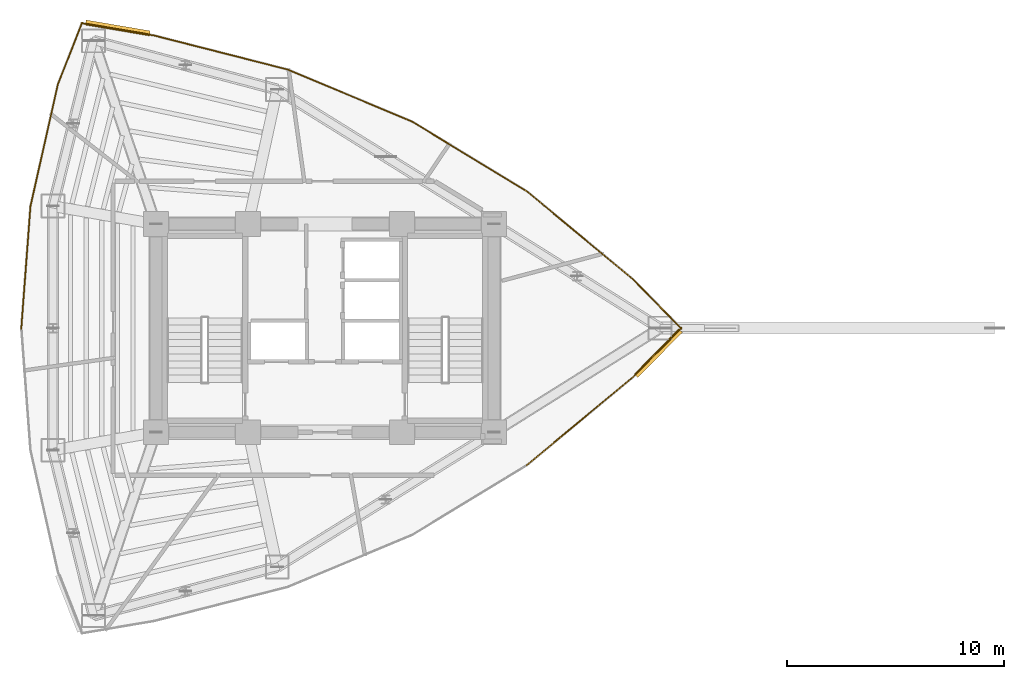
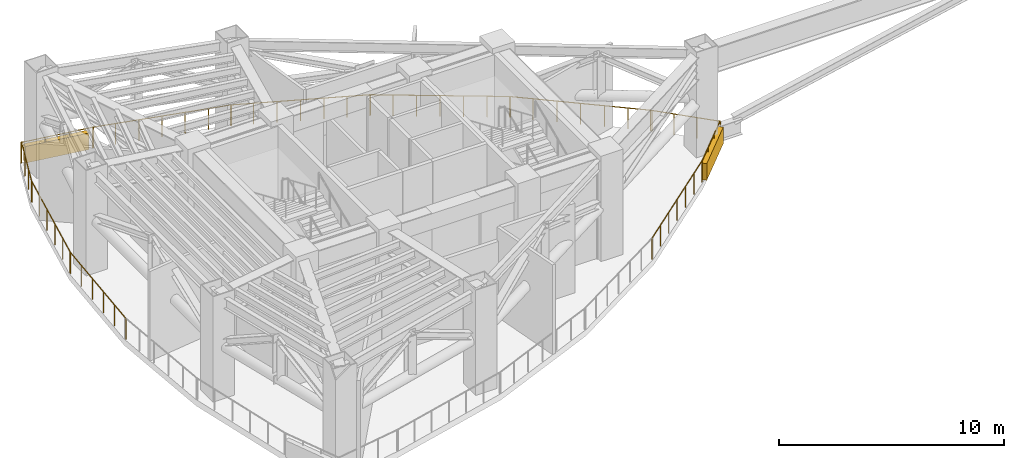
# One storey, part 8 of 8: 11 railings, 2 shading devices.
"""IFC4 building model written with IfcOpenShell, lengths in metres."""

from ifc_helpers import new_model, si_unit, direction, frame, origin, origin_2d, place, context, subcontext, project, spatial, rectangle, circle, extrude, material, layer, layer_set, type_object, element, save


model = new_model("IFC4")

# Units and contexts
model_context = context("Model", 3, precision=1e-05, world=origin(), true_north=direction((0.0, 1.0)))
body_context = subcontext(model_context, "Body", "Model", "MODEL_VIEW")
ifc_project = project(units=[si_unit("LENGTHUNIT", "METRE"), si_unit("AREAUNIT", "SQUARE_METRE"), si_unit("VOLUMEUNIT", "CUBIC_METRE"), si_unit("PLANEANGLEUNIT", "RADIAN"), si_unit("MASSUNIT", "GRAM", prefix="KILO")], contexts=[model_context])

# Site, building, storey
site_placement = place(None, origin())
site = spatial("IfcSite", under=ifc_project, at=site_placement, CompositionType="ELEMENT")
building_placement = place(site_placement, origin())
building = spatial("IfcBuilding", under=site, at=building_placement, Name="Menara Vayukalpa", CompositionType="ELEMENT")
storey_placement = place(building_placement, frame((0.0, 0.0, 148.6201171875)))
storey = spatial("IfcBuildingStorey", under=building, at=storey_placement, Name="L37", CompositionType="ELEMENT", Elevation=148.6201171875)

# Railings
ifc_material_1 = material(Name="Laminated Glass and Stainless Steel 316 Guardrail", Category="steel")
railing_type = type_object("IfcRailingType", Name="RLG-EXT115", PredefinedType="GUARDRAIL", material=ifc_material_1)
railing_1_placement = place(storey_placement, frame((39.8330078125, 19.76318359375, 0.0)))
element("IfcRailing", 1, at=railing_1_placement, inside=storey, type_object=railing_type, Name="L37 Wind Floor Perimeter Guardrail 01", PredefinedType="GUARDRAIL", context=body_context, shape_type="SweptSolid", body=[
    extrude(circle(Radius=0.02392578125, at=origin_2d()), frame((0.0, 0.0, 1.1259765625), z_axis=(-0.769738797529, -0.638358977049, 0.0), x_axis=(0.638358977049, -0.769738797529, 0.0)), (0.0, 0.0, 1.0), 6.412841796875),
    extrude(circle(Radius=0.02099609375, at=origin_2d()), origin(), (0.0, 0.0, 1.0), 1.101806640625),
    extrude(circle(Radius=0.02099609375, at=origin_2d()), frame((-0.82275390625, -0.682373046875, 0.0)), (0.0, 0.0, 1.0), 1.101806640625),
    extrude(circle(Radius=0.02099609375, at=origin_2d()), frame((-1.6455078125, -1.364501953125, 0.0)), (0.0, 0.0, 1.0), 1.101806640625),
    extrude(circle(Radius=0.02099609375, at=origin_2d()), frame((-2.46826171875, -2.046875, 0.0)), (0.0, 0.0, 1.0), 1.101806640625),
    extrude(circle(Radius=0.02099609375, at=origin_2d()), frame((-3.290771484375, -2.729248046875, 0.0)), (0.0, 0.0, 1.0), 1.101806640625),
    extrude(circle(Radius=0.02099609375, at=origin_2d()), frame((-4.113525390625, -3.411376953125, 0.0)), (0.0, 0.0, 1.0), 1.101806640625),
    extrude(circle(Radius=0.02099609375, at=origin_2d()), frame((-4.936279296875, -4.09375, 0.0)), (0.0, 0.0, 1.0), 1.101806640625),
])
railing_2_placement = place(storey_placement, frame((11.584716796875, 21.97021484375, 0.0)))
element("IfcRailing", 2, at=railing_2_placement, inside=storey, type_object=railing_type, Name="L37 Wind Floor Perimeter Guardrail 09", PredefinedType="GUARDRAIL", context=body_context, shape_type="SweptSolid", body=[
    extrude(circle(Radius=0.02392578125, at=origin_2d()), frame((0.0, 0.0, 1.1259765625), z_axis=(0.074760126221, 0.997201546092, 0.0), x_axis=(-0.997201546092, 0.074760126221, 0.0)), (0.0, 0.0, 1.0), 5.698486328125),
    extrude(circle(Radius=0.02099609375, at=origin_2d()), origin(), (0.0, 0.0, 1.0), 1.101806640625),
    extrude(circle(Radius=0.02099609375, at=origin_2d()), frame((0.085205078125, 1.136474609375, 0.0)), (0.0, 0.0, 1.0), 1.101806640625),
    extrude(circle(Radius=0.02099609375, at=origin_2d()), frame((0.17041015625, 2.27294921875, 0.0)), (0.0, 0.0, 1.0), 1.101806640625),
    extrude(circle(Radius=0.02099609375, at=origin_2d()), frame((0.255615234375, 3.40966796875, 0.0)), (0.0, 0.0, 1.0), 1.101806640625),
    extrude(circle(Radius=0.02099609375, at=origin_2d()), frame((0.3408203125, 4.546142578125, 0.0)), (0.0, 0.0, 1.0), 1.101806640625),
    extrude(circle(Radius=0.02099609375, at=origin_2d()), frame((0.426025390625, 5.6826171875, 0.0)), (0.0, 0.0, 1.0), 1.101806640625),
])
railing_3_placement = place(storey_placement, frame((12.001953125, 27.59375, 0.0)))
element("IfcRailing", 3, at=railing_3_placement, inside=storey, type_object=railing_type, Name="L37 Wind Floor Perimeter Guardrail 10", PredefinedType="GUARDRAIL", context=body_context, shape_type="SweptSolid", body=[
    extrude(circle(Radius=0.02392578125, at=origin_2d()), frame((0.0, 0.0, 1.1259765625), z_axis=(0.219504214699, 0.975611551658, 0.0), x_axis=(-0.975611551658, 0.219504214699, 0.0)), (0.0, 0.0, 1.0), 5.82373046875),
    extrude(circle(Radius=0.02099609375, at=origin_2d()), origin(), (0.0, 0.0, 1.0), 1.101806640625),
    extrude(circle(Radius=0.02099609375, at=origin_2d()), frame((0.255615234375, 1.13623046875, 0.0)), (0.0, 0.0, 1.0), 1.101806640625),
    extrude(circle(Radius=0.02099609375, at=origin_2d()), frame((0.51123046875, 2.272705078125, 0.0)), (0.0, 0.0, 1.0), 1.101806640625),
    extrude(circle(Radius=0.02099609375, at=origin_2d()), frame((0.76708984375, 3.408935546875, 0.0)), (0.0, 0.0, 1.0), 1.101806640625),
    extrude(circle(Radius=0.02099609375, at=origin_2d()), frame((1.022705078125, 4.54541015625, 0.0)), (0.0, 0.0, 1.0), 1.101806640625),
    extrude(circle(Radius=0.02099609375, at=origin_2d()), frame((1.2783203125, 5.681640625, 0.0)), (0.0, 0.0, 1.0), 1.101806640625),
])
railing_4_placement = place(storey_placement, frame((13.2626953125, 33.218017578125, 0.0)))
element("IfcRailing", 4, at=railing_4_placement, inside=storey, type_object=railing_type, Name="L37 Wind Floor Perimeter Guardrail 11", PredefinedType="GUARDRAIL", context=body_context, shape_type="SweptSolid", body=[
    extrude(circle(Radius=0.02392578125, at=origin_2d()), frame((0.0, 0.0, 1.1259765625), z_axis=(0.365591375551, 0.93077545419, 0.0), x_axis=(-0.93077545419, 0.365591375551, 0.0)), (0.0, 0.0, 1.0), 3.095947265625),
    extrude(circle(Radius=0.02099609375, at=origin_2d()), origin(), (0.0, 0.0, 1.0), 1.101806640625),
    extrude(circle(Radius=0.02099609375, at=origin_2d()), frame((0.377197265625, 0.96044921875, 0.0)), (0.0, 0.0, 1.0), 1.101806640625),
    extrude(circle(Radius=0.02099609375, at=origin_2d()), frame((0.754638671875, 1.921142578125, 0.0)), (0.0, 0.0, 1.0), 1.101806640625),
    extrude(circle(Radius=0.02099609375, at=origin_2d()), frame((1.1318359375, 2.881591796875, 0.0)), (0.0, 0.0, 1.0), 1.101806640625),
])
railing_5_placement = place(storey_placement, frame((14.35400390625, 36.076904296875, 0.0)))
element("IfcRailing", 5, at=railing_5_placement, inside=storey, type_object=railing_type, Name="L37 Wind Floor Perimeter Guardrail 12", PredefinedType="GUARDRAIL", context=body_context, shape_type="SweptSolid", body=[
    extrude(circle(Radius=0.02392578125, at=origin_2d()), frame((0.0, 0.0, 1.1259765625), z_axis=(0.985889433677, -0.167397803346, 0.0), x_axis=(0.167397803346, 0.985889433677, 0.0)), (0.0, 0.0, 1.0), 3.44482421875),
    extrude(circle(Radius=0.02099609375, at=origin_2d()), origin(), (0.0, 0.0, 1.0), 1.101806640625),
    extrude(circle(Radius=0.02099609375, at=origin_2d()), frame((1.132080078125, -0.192138671875, 0.0)), (0.0, 0.0, 1.0), 1.101806640625),
    extrude(circle(Radius=0.02099609375, at=origin_2d()), frame((2.26416015625, -0.384521484375, 0.0)), (0.0, 0.0, 1.0), 1.101806640625),
    extrude(circle(Radius=0.02099609375, at=origin_2d()), frame((3.396240234375, -0.57666015625, 0.0)), (0.0, 0.0, 1.0), 1.101806640625),
])
railing_6_placement = place(storey_placement, frame((17.691650390625, 35.5126953125, 0.0)))
element("IfcRailing", 6, at=railing_6_placement, inside=storey, type_object=railing_type, Name="L37 Wind Floor Perimeter Guardrail 13", PredefinedType="GUARDRAIL", context=body_context, shape_type="SweptSolid", body=[
    extrude(circle(Radius=0.02392578125, at=origin_2d()), frame((0.0, 0.0, 1.1259765625), z_axis=(0.968980581145, -0.247136871721, 0.0), x_axis=(0.247136871721, 0.968980581145, 0.0)), (0.0, 0.0, 1.0), 6.413330078125),
    extrude(circle(Radius=0.02099609375, at=origin_2d()), origin(), (0.0, 0.0, 1.0), 1.101806640625),
    extrude(circle(Radius=0.02099609375, at=origin_2d()), frame((1.03564453125, -0.26416015625, 0.0)), (0.0, 0.0, 1.0), 1.101806640625),
    extrude(circle(Radius=0.02099609375, at=origin_2d()), frame((2.071533203125, -0.5283203125, 0.0)), (0.0, 0.0, 1.0), 1.101806640625),
    extrude(circle(Radius=0.02099609375, at=origin_2d()), frame((3.107177734375, -0.79248046875, 0.0)), (0.0, 0.0, 1.0), 1.101806640625),
    extrude(circle(Radius=0.02099609375, at=origin_2d()), frame((4.142822265625, -1.056640625, 0.0)), (0.0, 0.0, 1.0), 1.101806640625),
    extrude(circle(Radius=0.02099609375, at=origin_2d()), frame((5.1787109375, -1.32080078125, 0.0)), (0.0, 0.0, 1.0), 1.101806640625),
    extrude(circle(Radius=0.02099609375, at=origin_2d()), frame((6.21435546875, -1.5849609375, 0.0)), (0.0, 0.0, 1.0), 1.101806640625),
])
railing_7_placement = place(storey_placement, frame((23.849365234375, 33.94677734375, 0.0)))
element("IfcRailing", 7, at=railing_7_placement, inside=storey, type_object=railing_type, Name="L37 Wind Floor Perimeter Guardrail 14", PredefinedType="GUARDRAIL", context=body_context, shape_type="SweptSolid", body=[
    extrude(circle(Radius=0.02392578125, at=origin_2d()), frame((0.0, 0.0, 1.1259765625), z_axis=(0.922549905473, -0.385877794013, 0.0), x_axis=(0.385877794013, 0.922549905473, 0.0)), (0.0, 0.0, 1.0), 6.273681640625),
    extrude(circle(Radius=0.02099609375, at=origin_2d()), origin(), (0.0, 0.0, 1.0), 1.101806640625),
    extrude(circle(Radius=0.02099609375, at=origin_2d()), frame((0.964599609375, -0.403564453125, 0.0)), (0.0, 0.0, 1.0), 1.101806640625),
    extrude(circle(Radius=0.02099609375, at=origin_2d()), frame((1.92919921875, -0.806884765625, 0.0)), (0.0, 0.0, 1.0), 1.101806640625),
    extrude(circle(Radius=0.02099609375, at=origin_2d()), frame((2.89404296875, -1.21044921875, 0.0)), (0.0, 0.0, 1.0), 1.101806640625),
    extrude(circle(Radius=0.02099609375, at=origin_2d()), frame((3.858642578125, -1.614013671875, 0.0)), (0.0, 0.0, 1.0), 1.101806640625),
    extrude(circle(Radius=0.02099609375, at=origin_2d()), frame((4.8232421875, -2.017333984375, 0.0)), (0.0, 0.0, 1.0), 1.101806640625),
    extrude(circle(Radius=0.02099609375, at=origin_2d()), frame((5.787841796875, -2.4208984375, 0.0)), (0.0, 0.0, 1.0), 1.101806640625),
])
railing_8_placement = place(storey_placement, frame((29.583740234375, 31.552978515625, 0.0)))
element("IfcRailing", 8, at=railing_8_placement, inside=storey, type_object=railing_type, Name="L37 Wind Floor Perimeter Guardrail 15", PredefinedType="GUARDRAIL", context=body_context, shape_type="SweptSolid", body=[
    extrude(circle(Radius=0.02392578125, at=origin_2d()), frame((0.0, 0.0, 1.1259765625), z_axis=(0.854650612144, -0.51920355465, 0.0), x_axis=(0.51920355465, 0.854650612144, 0.0)), (0.0, 0.0, 1.0), 6.273681640625),
    extrude(circle(Radius=0.02099609375, at=origin_2d()), origin(), (0.0, 0.0, 1.0), 1.101806640625),
    extrude(circle(Radius=0.02099609375, at=origin_2d()), frame((0.8935546875, -0.54296875, 0.0)), (0.0, 0.0, 1.0), 1.101806640625),
    extrude(circle(Radius=0.02099609375, at=origin_2d()), frame((1.787353515625, -1.085693359375, 0.0)), (0.0, 0.0, 1.0), 1.101806640625),
    extrude(circle(Radius=0.02099609375, at=origin_2d()), frame((2.680908203125, -1.628662109375, 0.0)), (0.0, 0.0, 1.0), 1.101806640625),
    extrude(circle(Radius=0.02099609375, at=origin_2d()), frame((3.574462890625, -2.171630859375, 0.0)), (0.0, 0.0, 1.0), 1.101806640625),
    extrude(circle(Radius=0.02099609375, at=origin_2d()), frame((4.46826171875, -2.71435546875, 0.0)), (0.0, 0.0, 1.0), 1.101806640625),
    extrude(circle(Radius=0.02099609375, at=origin_2d()), frame((5.36181640625, -3.25732421875, 0.0)), (0.0, 0.0, 1.0), 1.101806640625),
])
railing_9_placement = place(storey_placement, frame((34.896728515625, 28.33056640625, 0.0)))
element("IfcRailing", 9, at=railing_9_placement, inside=storey, type_object=railing_type, Name="L37 Wind Floor Perimeter Guardrail 16", PredefinedType="GUARDRAIL", context=body_context, shape_type="SweptSolid", body=[
    extrude(circle(Radius=0.02392578125, at=origin_2d()), frame((0.0, 0.0, 1.1259765625), z_axis=(0.769738797529, -0.638358977049, 0.0), x_axis=(0.638358977049, 0.769738797529, 0.0)), (0.0, 0.0, 1.0), 6.412841796875),
    extrude(circle(Radius=0.02099609375, at=origin_2d()), origin(), (0.0, 0.0, 1.0), 1.101806640625),
    extrude(circle(Radius=0.02099609375, at=origin_2d()), frame((0.82275390625, -0.682373046875, 0.0)), (0.0, 0.0, 1.0), 1.101806640625),
    extrude(circle(Radius=0.02099609375, at=origin_2d()), frame((1.6455078125, -1.364501953125, 0.0)), (0.0, 0.0, 1.0), 1.101806640625),
    extrude(circle(Radius=0.02099609375, at=origin_2d()), frame((2.46826171875, -2.046875, 0.0)), (0.0, 0.0, 1.0), 1.101806640625),
    extrude(circle(Radius=0.02099609375, at=origin_2d()), frame((3.290771484375, -2.729248046875, 0.0)), (0.0, 0.0, 1.0), 1.101806640625),
    extrude(circle(Radius=0.02099609375, at=origin_2d()), frame((4.113525390625, -3.411376953125, 0.0)), (0.0, 0.0, 1.0), 1.101806640625),
    extrude(circle(Radius=0.02099609375, at=origin_2d()), frame((4.936279296875, -4.09375, 0.0)), (0.0, 0.0, 1.0), 1.101806640625),
])
railing_10_placement = place(storey_placement, frame((39.788818359375, 24.277587890625, 0.0)))
element("IfcRailing", 10, at=railing_10_placement, inside=storey, type_object=railing_type, Name="L37 Wind Floor Perimeter Guardrail 17", PredefinedType="GUARDRAIL", context=body_context, shape_type="SweptSolid", body=[
    extrude(circle(Radius=0.02392578125, at=origin_2d()), frame((0.0, 0.0, 1.1259765625), z_axis=(0.700559913912, -0.713593586729, 0.0), x_axis=(0.713593586729, 0.700559913912, 0.0)), (0.0, 0.0, 1.0), 3.221923828125),
    extrude(circle(Radius=0.02099609375, at=origin_2d()), origin(), (0.0, 0.0, 1.0), 1.101806640625),
    extrude(circle(Radius=0.02099609375, at=origin_2d()), frame((0.75244140625, -0.766357421875, 0.0)), (0.0, 0.0, 1.0), 1.101806640625),
    extrude(circle(Radius=0.02099609375, at=origin_2d()), frame((1.504638671875, -1.53271484375, 0.0)), (0.0, 0.0, 1.0), 1.101806640625),
    extrude(circle(Radius=0.02099609375, at=origin_2d()), frame((2.257080078125, -2.299072265625, 0.0)), (0.0, 0.0, 1.0), 1.101806640625),
])
railing_11_placement = place(storey_placement, frame((42.0458984375, 22.021484375, 0.0)))
element("IfcRailing", 11, at=railing_11_placement, inside=storey, type_object=railing_type, Name="L37 Wind Floor Perimeter Guardrail 18", PredefinedType="GUARDRAIL", context=body_context, shape_type="SweptSolid", body=[
    extrude(circle(Radius=0.02392578125, at=origin_2d()), frame((0.0, 0.0, 1.1259765625), z_axis=(-0.700559913912, -0.713593586729, 0.0), x_axis=(0.713593586729, -0.700559913912, 0.0)), (0.0, 0.0, 1.0), 3.221923828125),
    extrude(circle(Radius=0.02099609375, at=origin_2d()), origin(), (0.0, 0.0, 1.0), 1.101806640625),
    extrude(circle(Radius=0.02099609375, at=origin_2d()), frame((-0.75244140625, -0.766357421875, 0.0)), (0.0, 0.0, 1.0), 1.101806640625),
    extrude(circle(Radius=0.02099609375, at=origin_2d()), frame((-1.504638671875, -1.53271484375, 0.0)), (0.0, 0.0, 1.0), 1.101806640625),
    extrude(circle(Radius=0.02099609375, at=origin_2d()), frame((-2.257080078125, -2.299072265625, 0.0)), (0.0, 0.0, 1.0), 1.101806640625),
])

# Shading devices
ifc_material_2 = material(Name="Anodised Terracotta Aluminium Acoustic Louvre", Category="masonry")
ifc_layer = layer(ifc_material_2, 0.280029296875)
ifc_layer_set = layer_set([ifc_layer], Name="Anodised Terracotta Aluminium Acoustic Louvre")
shading_device_type = type_object("IfcShadingDeviceType", Name="SHD-LV1", PredefinedType="JALOUSIE", material=ifc_layer_set)
shading_device_1_placement = place(storey_placement, frame((40.979736328125, 20.849853515625, 0.0), z_axis=(0.0, 0.0, 1.0), x_axis=(0.70059798337, 0.713556210609, 0.0)))
element("IfcShadingDevice", 12, at=shading_device_1_placement, inside=storey, type_object=shading_device_type, Name="L37 Wind Floor Acoustic Louvre Screen 01", PredefinedType="JALOUSIE", context=body_context, shape_type="SweptSolid", body=[
    extrude(rectangle(XDim=2.923583984375, YDim=0.239990234375, at=origin_2d()), origin(), (0.0, 0.0, 1.0), 0.89990234375),
])
shading_device_2_placement = place(storey_placement, frame((16.039306640625, 35.8515625, 0.0), z_axis=(0.0, 0.0, 1.0), x_axis=(-0.985893979881, 0.167371026267, 0.0)))
element("IfcShadingDevice", 13, at=shading_device_2_placement, inside=storey, type_object=shading_device_type, Name="L37 Wind Floor Acoustic Louvre Screen 07", PredefinedType="JALOUSIE", context=body_context, shape_type="SweptSolid", body=[
    extrude(rectangle(XDim=3.0, YDim=0.239990234375, at=origin_2d()), origin(), (0.0, 0.0, 1.0), 0.89990234375),
])

save(model, "model.ifc")
